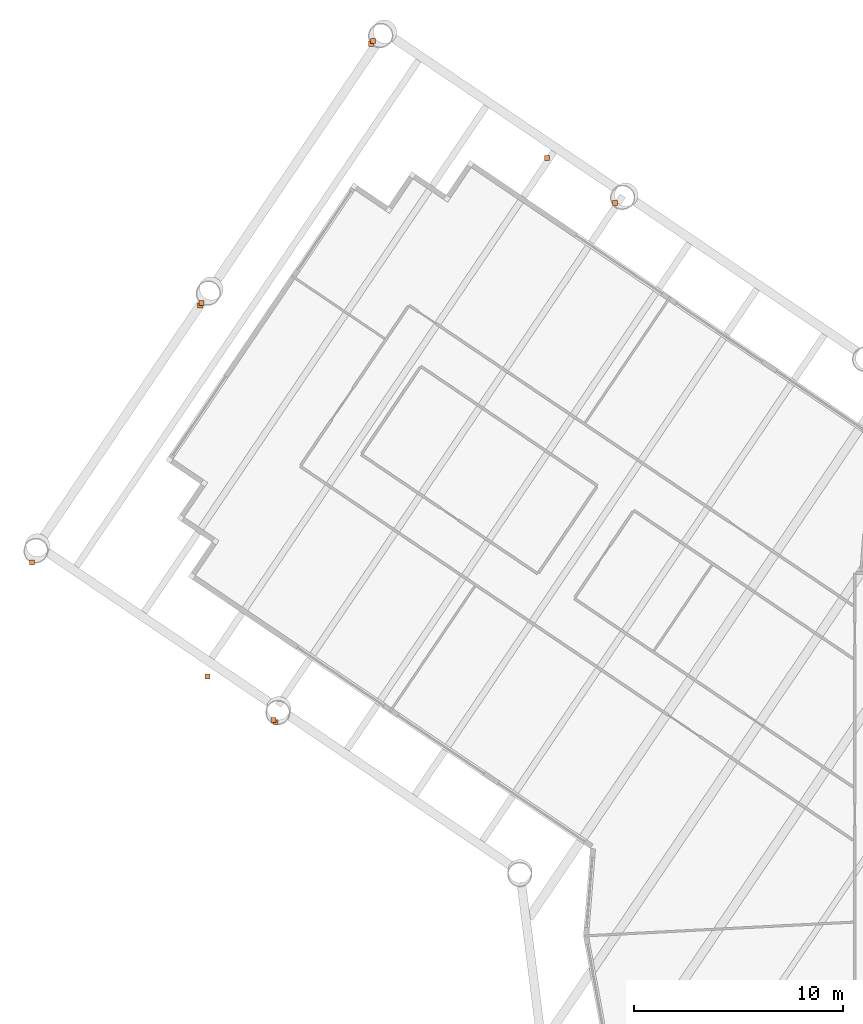
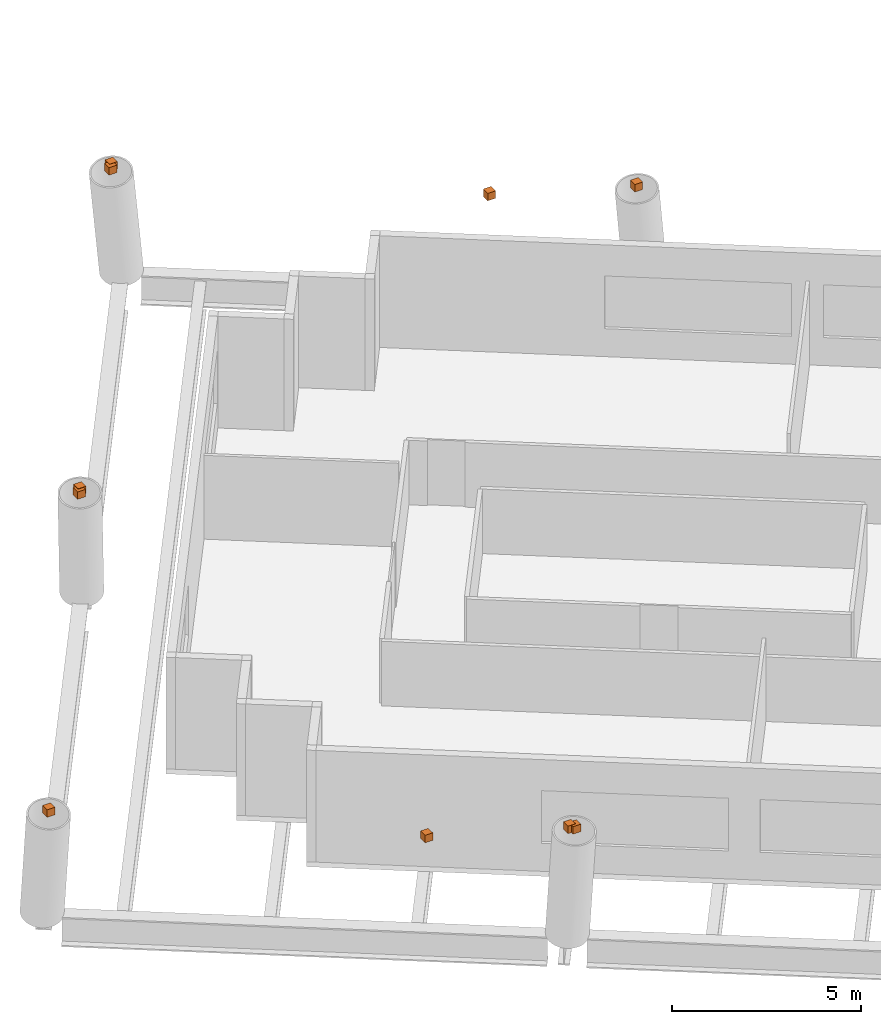
# One storey, part 13 of 13: 10 proxies.
"""IFC4 building model written with IfcOpenShell, lengths in metres."""

from ifc_helpers import new_model, si_unit, direction, frame, origin, origin_2d, place, context, subcontext, project, spatial, rectangle, extrude, material, type_object, element, save


model = new_model("IFC4")

# Units and contexts
model_context = context("Model", 3, precision=1e-05, world=origin(), true_north=direction((0.0, 1.0)))
body_context = subcontext(model_context, "Body", "Model", "MODEL_VIEW")
ifc_project = project(units=[si_unit("LENGTHUNIT", "METRE"), si_unit("AREAUNIT", "SQUARE_METRE"), si_unit("VOLUMEUNIT", "CUBIC_METRE"), si_unit("PLANEANGLEUNIT", "RADIAN"), si_unit("MASSUNIT", "GRAM", prefix="KILO")], contexts=[model_context])

# Site, building, storey
site_placement = place(None, origin())
site = spatial("IfcSite", under=ifc_project, at=site_placement, CompositionType="ELEMENT")
building_placement = place(site_placement, origin())
building = spatial("IfcBuilding", under=site, at=building_placement, Name="Tarsis Ring Headquarters", CompositionType="ELEMENT")
storey_placement = place(building_placement, frame((0.0, 0.0, 135.699951171875)))
storey = spatial("IfcBuildingStorey", under=building, at=storey_placement, Name="L31", CompositionType="ELEMENT", Elevation=135.699951171875)

# Proxies
ifc_material = material(Name="Structural steel S355", Category="steel")
building_element_proxy_type = type_object("IfcBuildingElementProxyType", Name="End cap", PredefinedType="USERDEFINED", material=ifc_material)
for number, where, z_axis, x_axis, name in (
    (1, (-44.269287109375, 28.78369140625, 3.7373046875), (0.0, 0.0, 1.0), (1.0, 0.0, 0.0), "End cap L30-EC-X18a"),
    (2, (-36.01513671875, 41.398193359375, 3.75927734375), (0.0, 0.0, 1.0), (1.0, 0.0, 0.0), "End cap L30-EC-X18b"),
    (3, (-40.767578125, 8.969970703125, 3.75), (0.0, 0.0, 1.0), (1.0, 0.0, 0.0), "End cap L30-EC-X21b"),
    (4, (-24.46337890625, 33.669189453125, 3.74658203125), (0.0, 0.0, 1.0), (1.0, 0.0, 0.0), "End cap L31-EC-17"),
    (5, (-36.101806640625, 41.27392578125, 3.75439453125), (0.0, 0.0, 1.0), (1.0, 0.0, 0.0), "End cap L31-EC-18"),
    (6, (-44.197998046875, 28.88525390625, 3.75244140625), (0.0, 0.0, 1.0), (1.0, 0.0, 0.0), "End cap L31-EC-19"),
    (7, (-52.294677734375, 16.496826171875, 3.75048828125), (0.0, 0.0, 1.0), (1.0, 0.0, 0.0), "End cap L31-EC-20"),
    (8, (-40.656982421875, 8.892578125, 3.74267578125), (0.0, 0.0, 1.0), (1.0, 0.0, 0.0), "End cap L31-EC-21"),
    (9, (-27.7001953125, 35.82763671875, 3.2861328125), (0.0, 0.0, 1.0), (1.0, 0.0, 0.0), "End cap L32-EC-B18"),
    (10, (-43.914794921875, 11.0634765625, 3.28857421875), (0.0, 0.0, 1.0), (1.0, 0.0, 0.0), "End cap L32-EC-B20"),
):
    element("IfcBuildingElementProxy", number, at=place(storey_placement, frame(where, z_axis=z_axis, x_axis=x_axis)), inside=storey, type_object=building_element_proxy_type, Name=name, ObjectType="End cap", PredefinedType="USERDEFINED", context=body_context, shape_type="SweptSolid", body=[
        extrude(rectangle(XDim=0.239990234375, YDim=0.239990234375, at=origin_2d()), origin(), (0.0, 0.0, 1.0), 0.239990234375),
    ])

save(model, "model.ifc")
